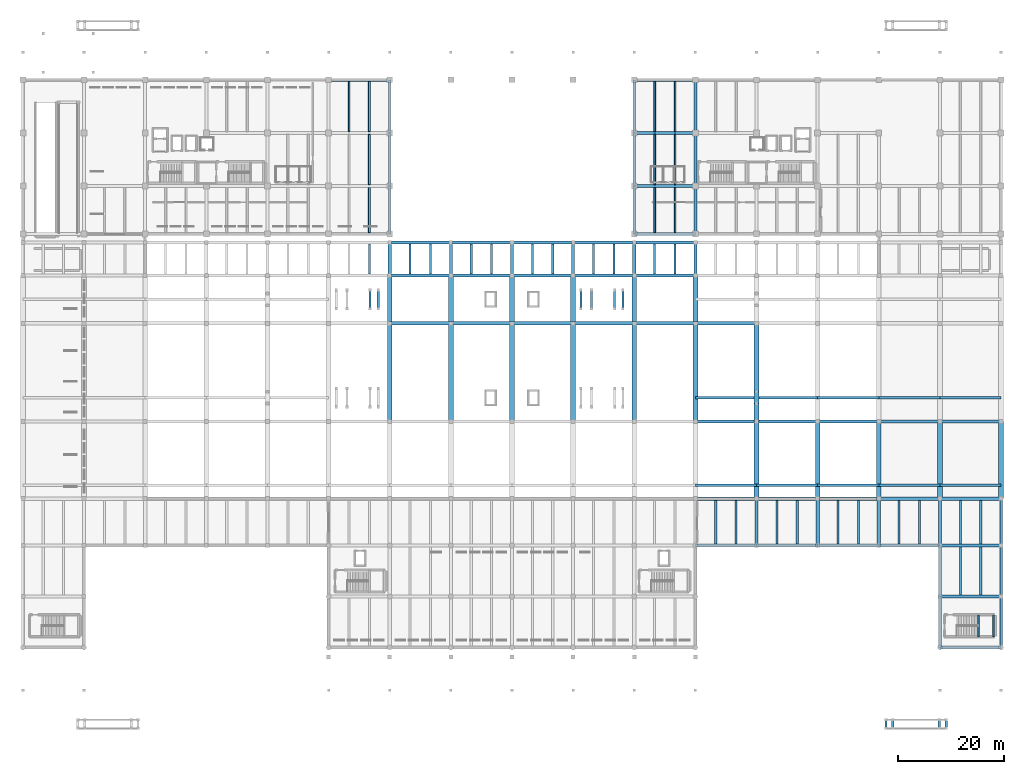
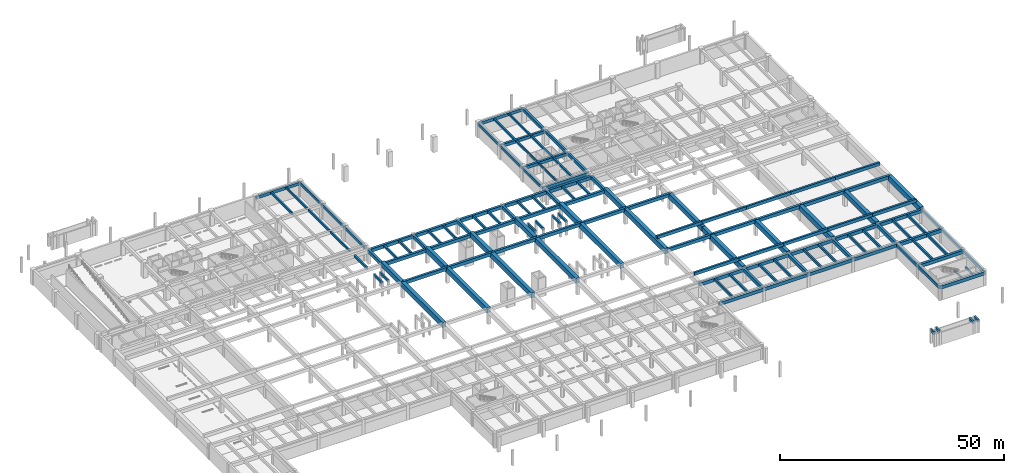
# One storey, part 6 of 20: 137 beams.
"""IFC4 building model written with IfcOpenShell, lengths in metres."""

from ifc_helpers import new_model, si_unit, direction, frame, origin, origin_2d, place, context, subcontext, project, spatial, rectangle, extrude, material, material_profile, profile_set, type_object, element, save


model = new_model("IFC4")

# Units and contexts
model_context = context("Model", 3, precision=1e-05, world=origin(), true_north=direction((0.0, 1.0)))
body_context = subcontext(model_context, "Body", "Model", "MODEL_VIEW")
ifc_project = project(units=[si_unit("LENGTHUNIT", "METRE"), si_unit("AREAUNIT", "SQUARE_METRE"), si_unit("VOLUMEUNIT", "CUBIC_METRE"), si_unit("PLANEANGLEUNIT", "RADIAN"), si_unit("MASSUNIT", "GRAM", prefix="KILO")], contexts=[model_context])

# Site, building, storey
site_placement = place(None, origin())
site = spatial("IfcSite", under=ifc_project, at=site_placement, CompositionType="ELEMENT")
building_placement = place(site_placement, origin())
building = spatial("IfcBuilding", under=site, at=building_placement, Name="Ologun Quay Terminus", CompositionType="ELEMENT")
storey_placement = place(building_placement, frame((0.0, 0.0, -4.199951171875)))
storey = spatial("IfcBuildingStorey", under=building, at=storey_placement, Name="B01", CompositionType="ELEMENT", Elevation=-4.199951171875)

# Beams
ifc_material_1 = material(Name="Concrete C40/50", Category="concrete")
ifc_material_profile_1 = material_profile(ifc_material_1, rectangle(XDim=0.300048828125, YDim=0.449951171875, at=origin_2d()), Name="RC 300x450")
ifc_profile_set_1 = profile_set([ifc_material_profile_1], Name="Concrete C40/50")
beam_type_1 = type_object("IfcBeamType", Name="Core Coupling Lintel Beam 300x450", PredefinedType="LINTEL", material=ifc_profile_set_1)
for number, where, z_axis, x_axis, name in (
    (1, (179.7900390625, 10.080078125, 1.695068359375), (0.0, 1.0, 0.0), (-1.0, 0.0, 0.0), "LN1 Half-Landing Ledger Beam ST-S2-W B01"),
    (2, (182.610107421875, 10.080078125, 1.695068359375), (0.0, 1.0, 0.0), (-1.0, 0.0, 0.0), "LN1 Half-Landing Ledger Beam ST-S2-E B01"),
):
    element("IfcBeam", number, at=place(storey_placement, frame(where, z_axis=z_axis, x_axis=x_axis)), inside=storey, type_object=beam_type_1, Name=name, PredefinedType="LINTEL", context=body_context, shape_type="SweptSolid", body=[
        extrude(rectangle(XDim=0.300048828125, YDim=0.449951171875, at=origin_2d()), origin(), (0.0, 0.0, 1.0), 4.0400390625),
    ])
ifc_material_2 = material(Name="Concrete C40/50", Category="concrete")
ifc_material_profile_2 = material_profile(ifc_material_2, rectangle(XDim=0.550048828125, YDim=0.800048828125, at=origin_2d()), Name="RC 550x800")
ifc_profile_set_2 = profile_set([ifc_material_profile_2], Name="Concrete C40/50")
beam_type_2 = type_object("IfcBeamType", Name="Courtyard Wing Primary Girder 550x800", PredefinedType="BEAM", material=ifc_profile_set_2)
for number, where, z_axis, x_axis, name in (
    (3, (115.0, 85.800048828125, 3.47998046875), (1.0, 0.0, 0.0), (0.0, 1.0, 0.0), "B4 Beam 11/G2 B01"),
    (4, (115.0, 94.800048828125, 3.47998046875), (1.0, 0.0, 0.0), (0.0, 1.0, 0.0), "B4 Beam 11/H B01"),
    (5, (115.0, 104.800048828125, 3.47998046875), (1.0, 0.0, 0.0), (0.0, 1.0, 0.0), "B4 Beam 11/J B01"),
    (6, (57.5, 114.800048828125, 3.47998046875), (1.0, 0.0, 0.0), (0.0, 1.0, 0.0), "B4 Beam 6/K B01"),
    (7, (115.0, 114.800048828125, 3.47998046875), (1.0, 0.0, 0.0), (0.0, 1.0, 0.0), "B4 Beam 11/K B01"),
):
    element("IfcBeam", number, at=place(storey_placement, frame(where, z_axis=z_axis, x_axis=x_axis)), inside=storey, type_object=beam_type_2, Name=name, PredefinedType="BEAM", context=body_context, shape_type="SweptSolid", body=[
        extrude(rectangle(XDim=0.550048828125, YDim=0.800048828125, at=origin_2d()), origin(), (0.0, 0.0, 1.0), 11.5),
    ])
beam_1_placement = place(storey_placement, frame((69.0, 85.800048828125, 3.47998046875), z_axis=(0.0, 1.0, 0.0), x_axis=(-1.0, 0.0, 0.0)))
element("IfcBeam", 8, at=beam_1_placement, inside=storey, type_object=beam_type_2, Name="B4 Beam 7/G2 B01", PredefinedType="BEAM", context=body_context, shape_type="SweptSolid", body=[
    extrude(rectangle(XDim=0.550048828125, YDim=0.800048828125, at=origin_2d()), origin(), (0.0, 0.0, 1.0), 9.0),
])
for number, where, z_axis, x_axis, name in (
    (9, (69.0, 94.800048828125, 3.47998046875), (0.0, 1.0, 0.0), (-1.0, 0.0, 0.0), "B4 Beam 7/H B01"),
    (10, (69.0, 104.800048828125, 3.47998046875), (0.0, 1.0, 0.0), (-1.0, 0.0, 0.0), "B4 Beam 7/J B01"),
):
    element("IfcBeam", number, at=place(storey_placement, frame(where, z_axis=z_axis, x_axis=x_axis)), inside=storey, type_object=beam_type_2, Name=name, PredefinedType="BEAM", context=body_context, shape_type="SweptSolid", body=[
        extrude(rectangle(XDim=0.550048828125, YDim=0.800048828125, at=origin_2d()), origin(), (0.0, 0.0, 1.0), 10.0),
    ])
beam_2_placement = place(storey_placement, frame((115.0, 85.800048828125, 3.47998046875), z_axis=(0.0, 1.0, 0.0), x_axis=(-1.0, 0.0, 0.0)))
element("IfcBeam", 11, at=beam_2_placement, inside=storey, type_object=beam_type_2, Name="B4 Beam 11/G2 B01", PredefinedType="BEAM", context=body_context, shape_type="SweptSolid", body=[
    extrude(rectangle(XDim=0.550048828125, YDim=0.800048828125, at=origin_2d()), origin(), (0.0, 0.0, 1.0), 9.0),
])
for number, where, z_axis, x_axis, name in (
    (12, (115.0, 94.800048828125, 3.47998046875), (0.0, 1.0, 0.0), (-1.0, 0.0, 0.0), "B4 Beam 11/H B01"),
    (13, (115.0, 104.800048828125, 3.47998046875), (0.0, 1.0, 0.0), (-1.0, 0.0, 0.0), "B4 Beam 11/J B01"),
):
    element("IfcBeam", number, at=place(storey_placement, frame(where, z_axis=z_axis, x_axis=x_axis)), inside=storey, type_object=beam_type_2, Name=name, PredefinedType="BEAM", context=body_context, shape_type="SweptSolid", body=[
        extrude(rectangle(XDim=0.550048828125, YDim=0.800048828125, at=origin_2d()), origin(), (0.0, 0.0, 1.0), 10.0),
    ])
beam_3_placement = place(storey_placement, frame((126.5, 85.800048828125, 3.47998046875), z_axis=(0.0, 1.0, 0.0), x_axis=(-1.0, 0.0, 0.0)))
element("IfcBeam", 14, at=beam_3_placement, inside=storey, type_object=beam_type_2, Name="B4 Beam 12/G2 B01", PredefinedType="BEAM", context=body_context, shape_type="SweptSolid", body=[
    extrude(rectangle(XDim=0.550048828125, YDim=0.800048828125, at=origin_2d()), origin(), (0.0, 0.0, 1.0), 9.0),
])
for number, where, z_axis, x_axis, name in (
    (15, (126.5, 94.800048828125, 3.47998046875), (0.0, 1.0, 0.0), (-1.0, 0.0, 0.0), "B4 Beam 12/H B01"),
    (16, (126.5, 104.800048828125, 3.47998046875), (0.0, 1.0, 0.0), (-1.0, 0.0, 0.0), "B4 Beam 12/J B01"),
):
    element("IfcBeam", number, at=place(storey_placement, frame(where, z_axis=z_axis, x_axis=x_axis)), inside=storey, type_object=beam_type_2, Name=name, PredefinedType="BEAM", context=body_context, shape_type="SweptSolid", body=[
        extrude(rectangle(XDim=0.550048828125, YDim=0.800048828125, at=origin_2d()), origin(), (0.0, 0.0, 1.0), 10.0),
    ])
ifc_material_3 = material(Name="Concrete C40/50", Category="concrete")
ifc_material_profile_3 = material_profile(ifc_material_3, rectangle(XDim=0.35009765625, YDim=0.550048828125, at=origin_2d()), Name="RC 350x550")
ifc_profile_set_3 = profile_set([ifc_material_profile_3], Name="Concrete C40/50")
beam_type_3 = type_object("IfcBeamType", Name="Courtyard Wing Secondary Joist 350x550", PredefinedType="JOIST", material=ifc_profile_set_3)
beam_4_placement = place(storey_placement, frame((65.166748046875, 86.074951171875, 3.60498046875), z_axis=(0.0, 1.0, 0.0), x_axis=(-1.0, 0.0, 0.0)))
element("IfcBeam", 17, at=beam_4_placement, inside=storey, type_object=beam_type_3, Name="J2 Beam 6/G2 B01", PredefinedType="JOIST", context=body_context, shape_type="SweptSolid", body=[
    extrude(rectangle(XDim=0.35009765625, YDim=0.550048828125, at=origin_2d()), origin(), (0.0, 0.0, 1.0), 8.449951171875),
])
for number, where, z_axis, x_axis, name in (
    (18, (65.166748046875, 95.074951171875, 3.60498046875), (0.0, 1.0, 0.0), (-1.0, 0.0, 0.0), "J2 Beam 6/H B01"),
    (19, (61.333251953125, 105.074951171875, 3.60498046875), (0.0, 1.0, 0.0), (-1.0, 0.0, 0.0), "J2 Beam 6/J B01"),
    (20, (65.166748046875, 105.074951171875, 3.60498046875), (0.0, 1.0, 0.0), (-1.0, 0.0, 0.0), "J2 Beam 6/J B01"),
):
    element("IfcBeam", number, at=place(storey_placement, frame(where, z_axis=z_axis, x_axis=x_axis)), inside=storey, type_object=beam_type_3, Name=name, PredefinedType="JOIST", context=body_context, shape_type="SweptSolid", body=[
        extrude(rectangle(XDim=0.35009765625, YDim=0.550048828125, at=origin_2d()), origin(), (0.0, 0.0, 1.0), 9.449951171875),
    ])
for number, where, z_axis, x_axis, name in (
    (21, (118.833251953125, 86.074951171875, 3.60498046875), (0.0, 1.0, 0.0), (-1.0, 0.0, 0.0), "J2 Beam 11/G2 B01"),
    (22, (122.666748046875, 86.074951171875, 3.60498046875), (0.0, 1.0, 0.0), (-1.0, 0.0, 0.0), "J2 Beam 11/G2 B01"),
):
    element("IfcBeam", number, at=place(storey_placement, frame(where, z_axis=z_axis, x_axis=x_axis)), inside=storey, type_object=beam_type_3, Name=name, PredefinedType="JOIST", context=body_context, shape_type="SweptSolid", body=[
        extrude(rectangle(XDim=0.35009765625, YDim=0.550048828125, at=origin_2d()), origin(), (0.0, 0.0, 1.0), 8.449951171875),
    ])
for number, where, z_axis, x_axis, name in (
    (23, (118.833251953125, 95.074951171875, 3.60498046875), (0.0, 1.0, 0.0), (-1.0, 0.0, 0.0), "J2 Beam 11/H B01"),
    (24, (122.666748046875, 95.074951171875, 3.60498046875), (0.0, 1.0, 0.0), (-1.0, 0.0, 0.0), "J2 Beam 11/H B01"),
    (25, (118.833251953125, 105.074951171875, 3.60498046875), (0.0, 1.0, 0.0), (-1.0, 0.0, 0.0), "J2 Beam 11/J B01"),
    (26, (122.666748046875, 105.074951171875, 3.60498046875), (0.0, 1.0, 0.0), (-1.0, 0.0, 0.0), "J2 Beam 11/J B01"),
):
    element("IfcBeam", number, at=place(storey_placement, frame(where, z_axis=z_axis, x_axis=x_axis)), inside=storey, type_object=beam_type_3, Name=name, PredefinedType="JOIST", context=body_context, shape_type="SweptSolid", body=[
        extrude(rectangle(XDim=0.35009765625, YDim=0.550048828125, at=origin_2d()), origin(), (0.0, 0.0, 1.0), 9.449951171875),
    ])
ifc_material_4 = material(Name="Concrete C45/55", Category="concrete")
ifc_material_profile_4 = material_profile(ifc_material_4, rectangle(XDim=0.89990234375, YDim=1.39990234375, at=origin_2d()), Name="RC 900x1400")
ifc_profile_set_4 = profile_set([ifc_material_profile_4], Name="Concrete C45/55")
beam_type_4 = type_object("IfcBeamType", Name="Heavy Track Deck Girder 900x1400", PredefinedType="BEAM", material=ifc_profile_set_4)
beam_5_placement = place(storey_placement, frame((69.0, 50.5, 3.64990234375), z_axis=(0.0, 1.0, 0.0), x_axis=(-1.0, 0.0, 0.0)))
element("IfcBeam", 27, at=beam_5_placement, inside=storey, type_object=beam_type_4, Name="B1 Beam 7/E B01", PredefinedType="BEAM", context=body_context, shape_type="SweptSolid", body=[
    extrude(rectangle(XDim=0.89990234375, YDim=1.39990234375, at=origin_2d()), origin(), (0.0, 0.0, 1.0), 18.5),
])
beam_6_placement = place(storey_placement, frame((69.0, 69.0, 3.64990234375), z_axis=(0.0, 1.0, 0.0), x_axis=(-1.0, 0.0, 0.0)))
element("IfcBeam", 28, at=beam_6_placement, inside=storey, type_object=beam_type_4, Name="B1 Beam 7/E B01", PredefinedType="BEAM", context=body_context, shape_type="SweptSolid", body=[
    extrude(rectangle(XDim=0.89990234375, YDim=1.39990234375, at=origin_2d()), origin(), (0.0, 0.0, 1.0), 9.0),
])
beam_7_placement = place(storey_placement, frame((80.5, 50.5, 3.64990234375), z_axis=(0.0, 1.0, 0.0), x_axis=(-1.0, 0.0, 0.0)))
element("IfcBeam", 29, at=beam_7_placement, inside=storey, type_object=beam_type_4, Name="B1 Beam 8/E B01", PredefinedType="BEAM", context=body_context, shape_type="SweptSolid", body=[
    extrude(rectangle(XDim=0.89990234375, YDim=1.39990234375, at=origin_2d()), origin(), (0.0, 0.0, 1.0), 18.5),
])
beam_8_placement = place(storey_placement, frame((80.5, 69.0, 3.64990234375), z_axis=(0.0, 1.0, 0.0), x_axis=(-1.0, 0.0, 0.0)))
element("IfcBeam", 30, at=beam_8_placement, inside=storey, type_object=beam_type_4, Name="B1 Beam 8/E B01", PredefinedType="BEAM", context=body_context, shape_type="SweptSolid", body=[
    extrude(rectangle(XDim=0.89990234375, YDim=1.39990234375, at=origin_2d()), origin(), (0.0, 0.0, 1.0), 9.0),
])
beam_9_placement = place(storey_placement, frame((92.0, 50.5, 3.64990234375), z_axis=(0.0, 1.0, 0.0), x_axis=(-1.0, 0.0, 0.0)))
element("IfcBeam", 31, at=beam_9_placement, inside=storey, type_object=beam_type_4, Name="B1 Beam 9/E B01", PredefinedType="BEAM", context=body_context, shape_type="SweptSolid", body=[
    extrude(rectangle(XDim=0.89990234375, YDim=1.39990234375, at=origin_2d()), origin(), (0.0, 0.0, 1.0), 18.5),
])
beam_10_placement = place(storey_placement, frame((92.0, 69.0, 3.64990234375), z_axis=(0.0, 1.0, 0.0), x_axis=(-1.0, 0.0, 0.0)))
element("IfcBeam", 32, at=beam_10_placement, inside=storey, type_object=beam_type_4, Name="B1 Beam 9/E B01", PredefinedType="BEAM", context=body_context, shape_type="SweptSolid", body=[
    extrude(rectangle(XDim=0.89990234375, YDim=1.39990234375, at=origin_2d()), origin(), (0.0, 0.0, 1.0), 9.0),
])
beam_11_placement = place(storey_placement, frame((103.5, 50.5, 3.64990234375), z_axis=(0.0, 1.0, 0.0), x_axis=(-1.0, 0.0, 0.0)))
element("IfcBeam", 33, at=beam_11_placement, inside=storey, type_object=beam_type_4, Name="B1 Beam 10/E B01", PredefinedType="BEAM", context=body_context, shape_type="SweptSolid", body=[
    extrude(rectangle(XDim=0.89990234375, YDim=1.39990234375, at=origin_2d()), origin(), (0.0, 0.0, 1.0), 18.5),
])
beam_12_placement = place(storey_placement, frame((103.5, 69.0, 3.64990234375), z_axis=(0.0, 1.0, 0.0), x_axis=(-1.0, 0.0, 0.0)))
element("IfcBeam", 34, at=beam_12_placement, inside=storey, type_object=beam_type_4, Name="B1 Beam 10/E B01", PredefinedType="BEAM", context=body_context, shape_type="SweptSolid", body=[
    extrude(rectangle(XDim=0.89990234375, YDim=1.39990234375, at=origin_2d()), origin(), (0.0, 0.0, 1.0), 9.0),
])
beam_13_placement = place(storey_placement, frame((115.0, 50.5, 3.64990234375), z_axis=(0.0, 1.0, 0.0), x_axis=(-1.0, 0.0, 0.0)))
element("IfcBeam", 35, at=beam_13_placement, inside=storey, type_object=beam_type_4, Name="B1 Beam 11/E B01", PredefinedType="BEAM", context=body_context, shape_type="SweptSolid", body=[
    extrude(rectangle(XDim=0.89990234375, YDim=1.39990234375, at=origin_2d()), origin(), (0.0, 0.0, 1.0), 18.5),
])
beam_14_placement = place(storey_placement, frame((115.0, 69.0, 3.64990234375), z_axis=(0.0, 1.0, 0.0), x_axis=(-1.0, 0.0, 0.0)))
element("IfcBeam", 36, at=beam_14_placement, inside=storey, type_object=beam_type_4, Name="B1 Beam 11/E B01", PredefinedType="BEAM", context=body_context, shape_type="SweptSolid", body=[
    extrude(rectangle(XDim=0.89990234375, YDim=1.39990234375, at=origin_2d()), origin(), (0.0, 0.0, 1.0), 9.0),
])
beam_15_placement = place(storey_placement, frame((126.5, 50.5, 3.64990234375), z_axis=(0.0, 1.0, 0.0), x_axis=(-1.0, 0.0, 0.0)))
element("IfcBeam", 37, at=beam_15_placement, inside=storey, type_object=beam_type_4, Name="B1 Beam 12/E B01", PredefinedType="BEAM", context=body_context, shape_type="SweptSolid", body=[
    extrude(rectangle(XDim=0.89990234375, YDim=1.39990234375, at=origin_2d()), origin(), (0.0, 0.0, 1.0), 18.5),
])
beam_16_placement = place(storey_placement, frame((126.5, 69.0, 3.64990234375), z_axis=(0.0, 1.0, 0.0), x_axis=(-1.0, 0.0, 0.0)))
element("IfcBeam", 38, at=beam_16_placement, inside=storey, type_object=beam_type_4, Name="B1 Beam 12/E B01", PredefinedType="BEAM", context=body_context, shape_type="SweptSolid", body=[
    extrude(rectangle(XDim=0.89990234375, YDim=1.39990234375, at=origin_2d()), origin(), (0.0, 0.0, 1.0), 9.0),
])
beam_17_placement = place(storey_placement, frame((138.0, 36.0, 3.64990234375), z_axis=(0.0, 1.0, 0.0), x_axis=(-1.0, 0.0, 0.0)))
element("IfcBeam", 39, at=beam_17_placement, inside=storey, type_object=beam_type_4, Name="B1 Beam 13/E B01", PredefinedType="BEAM", context=body_context, shape_type="SweptSolid", body=[
    extrude(rectangle(XDim=0.89990234375, YDim=1.39990234375, at=origin_2d()), origin(), (0.0, 0.0, 1.0), 14.5),
])
beam_18_placement = place(storey_placement, frame((138.0, 50.5, 3.64990234375), z_axis=(0.0, 1.0, 0.0), x_axis=(-1.0, 0.0, 0.0)))
element("IfcBeam", 40, at=beam_18_placement, inside=storey, type_object=beam_type_4, Name="B1 Beam 13/E B01", PredefinedType="BEAM", context=body_context, shape_type="SweptSolid", body=[
    extrude(rectangle(XDim=0.89990234375, YDim=1.39990234375, at=origin_2d()), origin(), (0.0, 0.0, 1.0), 3.39990234375),
])
beam_19_placement = place(storey_placement, frame((138.0, 53.89990234375, 3.64990234375), z_axis=(0.0, 1.0, 0.0), x_axis=(-1.0, 0.0, 0.0)))
element("IfcBeam", 41, at=beam_19_placement, inside=storey, type_object=beam_type_4, Name="B1 Beam 13/E B01", PredefinedType="BEAM", context=body_context, shape_type="SweptSolid", body=[
    extrude(rectangle(XDim=0.89990234375, YDim=1.39990234375, at=origin_2d()), origin(), (0.0, 0.0, 1.0), 2.2001953125),
])
beam_20_placement = place(storey_placement, frame((138.0, 56.10009765625, 3.64990234375), z_axis=(0.0, 1.0, 0.0), x_axis=(-1.0, 0.0, 0.0)))
element("IfcBeam", 42, at=beam_20_placement, inside=storey, type_object=beam_type_4, Name="B1 Beam 13/E B01", PredefinedType="BEAM", context=body_context, shape_type="SweptSolid", body=[
    extrude(rectangle(XDim=0.89990234375, YDim=1.39990234375, at=origin_2d()), origin(), (0.0, 0.0, 1.0), 12.89990234375),
])
for number, where, z_axis, x_axis, name in (
    (43, (149.5, 36.0, 3.64990234375), (0.0, 1.0, 0.0), (-1.0, 0.0, 0.0), "B1 Beam 14/E B01"),
    (44, (161.0, 36.0, 3.64990234375), (0.0, 1.0, 0.0), (-1.0, 0.0, 0.0), "B1 Beam 15/E B01"),
    (45, (172.5, 36.0, 3.64990234375), (0.0, 1.0, 0.0), (-1.0, 0.0, 0.0), "B1 Beam 16/E B01"),
    (46, (184.0, 36.0, 3.64990234375), (0.0, 1.0, 0.0), (-1.0, 0.0, 0.0), "B1 Beam 17/E B01"),
):
    element("IfcBeam", number, at=place(storey_placement, frame(where, z_axis=z_axis, x_axis=x_axis)), inside=storey, type_object=beam_type_4, Name=name, PredefinedType="BEAM", context=body_context, shape_type="SweptSolid", body=[
        extrude(rectangle(XDim=0.89990234375, YDim=1.39990234375, at=origin_2d()), origin(), (0.0, 0.0, 1.0), 14.5),
    ])
ifc_material_5 = material(Name="Concrete C40/50", Category="concrete")
ifc_material_profile_5 = material_profile(ifc_material_5, rectangle(XDim=0.449951171875, YDim=0.699951171875, at=origin_2d()), Name="RC 450x700")
ifc_profile_set_5 = profile_set([ifc_material_profile_5], Name="Concrete C40/50")
beam_type_5 = type_object("IfcBeamType", Name="Perimeter Spandrel Beam 450x700", PredefinedType="SPANDREL", material=ifc_profile_set_5)
for number, where, z_axis, x_axis, name in (
    (47, (162.35009765625, -7.199951171875, 3.6298828125), (0.0, 1.0, 0.0), (-1.0, 0.0, 0.0), "SP1 Ramp Header Beam 7W"),
    (48, (163.64990234375, -7.199951171875, 3.6298828125), (0.0, 1.0, 0.0), (-1.0, 0.0, 0.0), "SP1 Ramp Header Beam 7E"),
    (49, (172.35009765625, -7.199951171875, 3.1298828125), (0.0, 1.0, 0.0), (-1.0, 0.0, 0.0), "SP1 Ramp Header Beam 8W"),
    (50, (173.64990234375, -7.199951171875, 3.1298828125), (0.0, 1.0, 0.0), (-1.0, 0.0, 0.0), "SP1 Ramp Header Beam 8E"),
):
    element("IfcBeam", number, at=place(storey_placement, frame(where, z_axis=z_axis, x_axis=x_axis)), inside=storey, type_object=beam_type_5, Name=name, PredefinedType="SPANDREL", context=body_context, shape_type="SweptSolid", body=[
        extrude(rectangle(XDim=0.449951171875, YDim=0.699951171875, at=origin_2d()), origin(), (0.0, 0.0, 1.0), 1.599853515625),
    ])
beam_21_placement = place(storey_placement, frame((184.0, 8.0, 3.530029296875), z_axis=(0.0, 1.0, 0.0), x_axis=(-1.0, 0.0, 0.0)))
element("IfcBeam", 51, at=beam_21_placement, inside=storey, type_object=beam_type_5, Name="SP1 Beam 17/B B01", PredefinedType="SPANDREL", context=body_context, shape_type="SweptSolid", body=[
    extrude(rectangle(XDim=0.449951171875, YDim=0.699951171875, at=origin_2d()), origin(), (0.0, 0.0, 1.0), 9.60009765625),
])
beam_22_placement = place(storey_placement, frame((184.0, 17.60009765625, 3.530029296875), z_axis=(0.0, 1.0, 0.0), x_axis=(-1.0, 0.0, 0.0)))
element("IfcBeam", 52, at=beam_22_placement, inside=storey, type_object=beam_type_5, Name="SP1 Beam 17/C B01", PredefinedType="SPANDREL", context=body_context, shape_type="SweptSolid", body=[
    extrude(rectangle(XDim=0.449951171875, YDim=0.699951171875, at=origin_2d()), origin(), (0.0, 0.0, 1.0), 9.599853515625),
])
beam_23_placement = place(storey_placement, frame((184.0, 27.199951171875, 3.530029296875), z_axis=(0.0, 1.0, 0.0), x_axis=(-1.0, 0.0, 0.0)))
element("IfcBeam", 53, at=beam_23_placement, inside=storey, type_object=beam_type_5, Name="SP1 Beam 17/D B01", PredefinedType="SPANDREL", context=body_context, shape_type="SweptSolid", body=[
    extrude(rectangle(XDim=0.449951171875, YDim=0.699951171875, at=origin_2d()), origin(), (0.0, 0.0, 1.0), 8.800048828125),
])
ifc_material_6 = material(Name="Concrete C40/50", Category="concrete")
ifc_material_profile_6 = material_profile(ifc_material_6, rectangle(XDim=0.5, YDim=0.85009765625, at=origin_2d()), Name="RC 500x850")
ifc_profile_set_6 = profile_set([ifc_material_profile_6], Name="Concrete C40/50")
beam_type_6 = type_object("IfcBeamType", Name="Platform Ribbed T-Beam 500x850", PredefinedType="T_BEAM", material=ifc_profile_set_6)
for number, where, z_axis, x_axis, name in (
    (54, (126.5, 38.5, 4.724853515625), (1.0, 0.0, 0.0), (0.0, 1.0, 0.0), "TB1 Beam 12/E B01"),
    (55, (126.5, 55.0, 4.724853515625), (1.0, 0.0, 0.0), (0.0, 1.0, 0.0), "TB1 Beam 12/E B01"),
    (56, (138.0, 38.5, 4.724853515625), (1.0, 0.0, 0.0), (0.0, 1.0, 0.0), "TB1 Beam 13/E B01"),
    (57, (138.0, 55.0, 4.724853515625), (1.0, 0.0, 0.0), (0.0, 1.0, 0.0), "TB1 Beam 13/E B01"),
    (58, (149.5, 38.5, 4.724853515625), (1.0, 0.0, 0.0), (0.0, 1.0, 0.0), "TB1 Beam 14/E B01"),
    (59, (149.5, 55.0, 4.724853515625), (1.0, 0.0, 0.0), (0.0, 1.0, 0.0), "TB1 Beam 14/E B01"),
    (60, (161.0, 38.5, 4.724853515625), (1.0, 0.0, 0.0), (0.0, 1.0, 0.0), "TB1 Beam 15/E B01"),
    (61, (161.0, 55.0, 4.724853515625), (1.0, 0.0, 0.0), (0.0, 1.0, 0.0), "TB1 Beam 15/E B01"),
    (62, (172.5, 38.5, 4.724853515625), (1.0, 0.0, 0.0), (0.0, 1.0, 0.0), "TB1 Beam 16/E B01"),
    (63, (172.5, 55.0, 4.724853515625), (1.0, 0.0, 0.0), (0.0, 1.0, 0.0), "TB1 Beam 16/E B01"),
):
    element("IfcBeam", number, at=place(storey_placement, frame(where, z_axis=z_axis, x_axis=x_axis)), inside=storey, type_object=beam_type_6, Name=name, PredefinedType="T_BEAM", context=body_context, shape_type="SweptSolid", body=[
        extrude(rectangle(XDim=0.5, YDim=0.85009765625, at=origin_2d()), origin(), (0.0, 0.0, 1.0), 11.5),
    ])
ifc_material_7 = material(Name="Concrete C40/50", Category="concrete")
ifc_material_profile_7 = material_profile(ifc_material_7, rectangle(XDim=0.60009765625, YDim=0.89990234375, at=origin_2d()), Name="RC 600x900")
ifc_profile_set_7 = profile_set([ifc_material_profile_7], Name="Concrete C40/50")
beam_type_7 = type_object("IfcBeamType", Name="Station Frame Girder 600x900", PredefinedType="BEAM", material=ifc_profile_set_7)
for number, where, z_axis, x_axis, name in (
    (64, (172.5, 8.0, 3.429931640625), (1.0, 0.0, 0.0), (0.0, 1.0, 0.0), "B3 Beam 16/B B01"),
    (65, (172.5, 17.60009765625, 3.429931640625), (1.0, 0.0, 0.0), (0.0, 1.0, 0.0), "B3 Beam 16/C B01"),
    (66, (126.5, 27.199951171875, 3.429931640625), (1.0, 0.0, 0.0), (0.0, 1.0, 0.0), "B3 Beam 12/D B01"),
    (67, (138.0, 27.199951171875, 3.429931640625), (1.0, 0.0, 0.0), (0.0, 1.0, 0.0), "B3 Beam 13/D B01"),
    (68, (149.5, 27.199951171875, 3.429931640625), (1.0, 0.0, 0.0), (0.0, 1.0, 0.0), "B3 Beam 14/D B01"),
    (69, (161.0, 27.199951171875, 3.429931640625), (1.0, 0.0, 0.0), (0.0, 1.0, 0.0), "B3 Beam 15/D B01"),
    (70, (172.5, 27.199951171875, 3.429931640625), (1.0, 0.0, 0.0), (0.0, 1.0, 0.0), "B3 Beam 16/D B01"),
    (71, (126.5, 36.0, 3.429931640625), (1.0, 0.0, 0.0), (0.0, 1.0, 0.0), "B3 Beam 12/E B01"),
    (72, (138.0, 36.0, 3.429931640625), (1.0, 0.0, 0.0), (0.0, 1.0, 0.0), "B3 Beam 13/E B01"),
    (73, (149.5, 36.0, 3.429931640625), (1.0, 0.0, 0.0), (0.0, 1.0, 0.0), "B3 Beam 14/E B01"),
    (74, (161.0, 36.0, 3.429931640625), (1.0, 0.0, 0.0), (0.0, 1.0, 0.0), "B3 Beam 15/E B01"),
    (75, (172.5, 36.0, 3.429931640625), (1.0, 0.0, 0.0), (0.0, 1.0, 0.0), "B3 Beam 16/E B01"),
    (76, (69.0, 78.0, 3.429931640625), (1.0, 0.0, 0.0), (0.0, 1.0, 0.0), "B3 Beam 7/F B01"),
    (77, (80.5, 78.0, 3.429931640625), (1.0, 0.0, 0.0), (0.0, 1.0, 0.0), "B3 Beam 8/F B01"),
    (78, (92.0, 78.0, 3.429931640625), (1.0, 0.0, 0.0), (0.0, 1.0, 0.0), "B3 Beam 9/F B01"),
    (79, (103.5, 78.0, 3.429931640625), (1.0, 0.0, 0.0), (0.0, 1.0, 0.0), "B3 Beam 10/F B01"),
    (80, (115.0, 78.0, 3.429931640625), (1.0, 0.0, 0.0), (0.0, 1.0, 0.0), "B3 Beam 11/F B01"),
    (81, (69.0, 84.199951171875, 3.429931640625), (1.0, 0.0, 0.0), (0.0, 1.0, 0.0), "B3 Beam 7/G1 B01"),
    (82, (80.5, 84.199951171875, 3.429931640625), (1.0, 0.0, 0.0), (0.0, 1.0, 0.0), "B3 Beam 8/G1 B01"),
    (83, (92.0, 84.199951171875, 3.429931640625), (1.0, 0.0, 0.0), (0.0, 1.0, 0.0), "B3 Beam 9/G1 B01"),
    (84, (103.5, 84.199951171875, 3.429931640625), (1.0, 0.0, 0.0), (0.0, 1.0, 0.0), "B3 Beam 10/G1 B01"),
    (85, (115.0, 84.199951171875, 3.429931640625), (1.0, 0.0, 0.0), (0.0, 1.0, 0.0), "B3 Beam 11/G1 B01"),
    (86, (69.0, 69.0, 3.89990234375), (1.0, 0.0, 0.0), (0.0, 1.0, 0.0), "B3 Beam 7/E B01"),
    (87, (80.5, 69.0, 3.89990234375), (1.0, 0.0, 0.0), (0.0, 1.0, 0.0), "B3 Beam 8/E B01"),
    (88, (92.0, 69.0, 3.89990234375), (1.0, 0.0, 0.0), (0.0, 1.0, 0.0), "B3 Beam 9/E B01"),
    (89, (103.5, 69.0, 3.89990234375), (1.0, 0.0, 0.0), (0.0, 1.0, 0.0), "B3 Beam 10/E B01"),
    (90, (115.0, 69.0, 3.89990234375), (1.0, 0.0, 0.0), (0.0, 1.0, 0.0), "B3 Beam 11/E B01"),
    (91, (126.5, 50.5, 3.89990234375), (1.0, 0.0, 0.0), (0.0, 1.0, 0.0), "B3 Beam 12/E B01"),
    (92, (126.5, 69.0, 3.89990234375), (1.0, 0.0, 0.0), (0.0, 1.0, 0.0), "B3 Beam 12/E B01"),
    (93, (138.0, 50.5, 3.89990234375), (1.0, 0.0, 0.0), (0.0, 1.0, 0.0), "B3 Beam 13/E B01"),
    (94, (149.5, 50.5, 3.89990234375), (1.0, 0.0, 0.0), (0.0, 1.0, 0.0), "B3 Beam 14/E B01"),
    (95, (161.0, 50.5, 3.89990234375), (1.0, 0.0, 0.0), (0.0, 1.0, 0.0), "B3 Beam 15/E B01"),
    (96, (172.5, 50.5, 3.89990234375), (1.0, 0.0, 0.0), (0.0, 1.0, 0.0), "B3 Beam 16/E B01"),
):
    element("IfcBeam", number, at=place(storey_placement, frame(where, z_axis=z_axis, x_axis=x_axis)), inside=storey, type_object=beam_type_7, Name=name, PredefinedType="BEAM", context=body_context, shape_type="SweptSolid", body=[
        extrude(rectangle(XDim=0.60009765625, YDim=0.89990234375, at=origin_2d()), origin(), (0.0, 0.0, 1.0), 11.5),
    ])
for number, where, z_axis, x_axis, name in (
    (97, (69.0, 78.0, 3.429931640625), (0.0, 1.0, 0.0), (-1.0, 0.0, 0.0), "B3 Beam 7/F B01"),
    (98, (80.5, 78.0, 3.429931640625), (0.0, 1.0, 0.0), (-1.0, 0.0, 0.0), "B3 Beam 8/F B01"),
    (99, (92.0, 78.0, 3.429931640625), (0.0, 1.0, 0.0), (-1.0, 0.0, 0.0), "B3 Beam 9/F B01"),
    (100, (103.5, 78.0, 3.429931640625), (0.0, 1.0, 0.0), (-1.0, 0.0, 0.0), "B3 Beam 10/F B01"),
    (101, (115.0, 78.0, 3.429931640625), (0.0, 1.0, 0.0), (-1.0, 0.0, 0.0), "B3 Beam 11/F B01"),
    (102, (126.5, 78.0, 3.429931640625), (0.0, 1.0, 0.0), (-1.0, 0.0, 0.0), "B3 Beam 12/F B01"),
):
    element("IfcBeam", number, at=place(storey_placement, frame(where, z_axis=z_axis, x_axis=x_axis)), inside=storey, type_object=beam_type_7, Name=name, PredefinedType="BEAM", context=body_context, shape_type="SweptSolid", body=[
        extrude(rectangle(XDim=0.60009765625, YDim=0.89990234375, at=origin_2d()), origin(), (0.0, 0.0, 1.0), 6.199951171875),
    ])
for number, where, z_axis, x_axis, name in (
    (103, (138.0, 27.199951171875, 3.429931640625), (0.0, 1.0, 0.0), (-1.0, 0.0, 0.0), "B3 Beam 13/D B01"),
    (104, (149.5, 27.199951171875, 3.429931640625), (0.0, 1.0, 0.0), (-1.0, 0.0, 0.0), "B3 Beam 14/D B01"),
    (105, (161.0, 27.199951171875, 3.429931640625), (0.0, 1.0, 0.0), (-1.0, 0.0, 0.0), "B3 Beam 15/D B01"),
):
    element("IfcBeam", number, at=place(storey_placement, frame(where, z_axis=z_axis, x_axis=x_axis)), inside=storey, type_object=beam_type_7, Name=name, PredefinedType="BEAM", context=body_context, shape_type="SweptSolid", body=[
        extrude(rectangle(XDim=0.60009765625, YDim=0.89990234375, at=origin_2d()), origin(), (0.0, 0.0, 1.0), 8.800048828125),
    ])
beam_24_placement = place(storey_placement, frame((172.5, 8.0, 3.429931640625), z_axis=(0.0, 1.0, 0.0), x_axis=(-1.0, 0.0, 0.0)))
element("IfcBeam", 106, at=beam_24_placement, inside=storey, type_object=beam_type_7, Name="B3 Beam 16/B B01", PredefinedType="BEAM", context=body_context, shape_type="SweptSolid", body=[
    extrude(rectangle(XDim=0.60009765625, YDim=0.89990234375, at=origin_2d()), origin(), (0.0, 0.0, 1.0), 9.60009765625),
])
beam_25_placement = place(storey_placement, frame((172.5, 17.60009765625, 3.429931640625), z_axis=(0.0, 1.0, 0.0), x_axis=(-1.0, 0.0, 0.0)))
element("IfcBeam", 107, at=beam_25_placement, inside=storey, type_object=beam_type_7, Name="B3 Beam 16/C B01", PredefinedType="BEAM", context=body_context, shape_type="SweptSolid", body=[
    extrude(rectangle(XDim=0.60009765625, YDim=0.89990234375, at=origin_2d()), origin(), (0.0, 0.0, 1.0), 9.599853515625),
])
beam_26_placement = place(storey_placement, frame((172.5, 27.199951171875, 3.429931640625), z_axis=(0.0, 1.0, 0.0), x_axis=(-1.0, 0.0, 0.0)))
element("IfcBeam", 108, at=beam_26_placement, inside=storey, type_object=beam_type_7, Name="B3 Beam 16/D B01", PredefinedType="BEAM", context=body_context, shape_type="SweptSolid", body=[
    extrude(rectangle(XDim=0.60009765625, YDim=0.89990234375, at=origin_2d()), origin(), (0.0, 0.0, 1.0), 8.800048828125),
])
ifc_material_8 = material(Name="Concrete C40/50", Category="concrete")
ifc_material_profile_8 = material_profile(ifc_material_8, rectangle(XDim=0.39990234375, YDim=0.64990234375, at=origin_2d()), Name="RC 400x650")
ifc_profile_set_8 = profile_set([ifc_material_profile_8], Name="Concrete C40/50")
beam_type_8 = type_object("IfcBeamType", Name="Station Secondary Joist 400x650", PredefinedType="JOIST", material=ifc_profile_set_8)
for number, where, z_axis, x_axis, name in (
    (109, (65.300048828125, 71.75, 3.554931640625), (0.0, 1.0, 0.0), (-1.0, 0.0, 0.0), "J1 Beam 6/F B01"),
    (110, (66.85009765625, 71.75, 3.554931640625), (0.0, 1.0, 0.0), (-1.0, 0.0, 0.0), "J1 Beam 6/F B01"),
    (111, (104.949951171875, 71.75, 3.554931640625), (0.0, 1.0, 0.0), (-1.0, 0.0, 0.0), "J1 Beam 10/F B01"),
    (112, (106.949951171875, 71.75, 3.554931640625), (0.0, 1.0, 0.0), (-1.0, 0.0, 0.0), "J1 Beam 10/F B01"),
    (113, (111.300048828125, 71.75, 3.554931640625), (0.0, 1.0, 0.0), (-1.0, 0.0, 0.0), "J1 Beam 10/F B01"),
    (114, (112.85009765625, 71.75, 3.554931640625), (0.0, 1.0, 0.0), (-1.0, 0.0, 0.0), "J1 Beam 10/F B01"),
):
    element("IfcBeam", number, at=place(storey_placement, frame(where, z_axis=z_axis, x_axis=x_axis)), inside=storey, type_object=beam_type_8, Name=name, PredefinedType="JOIST", context=body_context, shape_type="SweptSolid", body=[
        extrude(rectangle(XDim=0.39990234375, YDim=0.64990234375, at=origin_2d()), origin(), (0.0, 0.0, 1.0), 3.5),
    ])
for number, where, z_axis, x_axis, name in (
    (115, (65.166748046875, 78.300048828125, 3.554931640625), (0.0, 1.0, 0.0), (-1.0, 0.0, 0.0), "J1 Beam 6/F B01"),
    (116, (72.833251953125, 78.300048828125, 3.554931640625), (0.0, 1.0, 0.0), (-1.0, 0.0, 0.0), "J1 Beam 7/F B01"),
    (117, (76.666748046875, 78.300048828125, 3.554931640625), (0.0, 1.0, 0.0), (-1.0, 0.0, 0.0), "J1 Beam 7/F B01"),
    (118, (84.333251953125, 78.300048828125, 3.554931640625), (0.0, 1.0, 0.0), (-1.0, 0.0, 0.0), "J1 Beam 8/F B01"),
    (119, (88.166748046875, 78.300048828125, 3.554931640625), (0.0, 1.0, 0.0), (-1.0, 0.0, 0.0), "J1 Beam 8/F B01"),
    (120, (95.833251953125, 78.300048828125, 3.554931640625), (0.0, 1.0, 0.0), (-1.0, 0.0, 0.0), "J1 Beam 9/F B01"),
    (121, (99.666748046875, 78.300048828125, 3.554931640625), (0.0, 1.0, 0.0), (-1.0, 0.0, 0.0), "J1 Beam 9/F B01"),
    (122, (107.333251953125, 78.300048828125, 3.554931640625), (0.0, 1.0, 0.0), (-1.0, 0.0, 0.0), "J1 Beam 10/F B01"),
    (123, (111.166748046875, 78.300048828125, 3.554931640625), (0.0, 1.0, 0.0), (-1.0, 0.0, 0.0), "J1 Beam 10/F B01"),
    (124, (118.833251953125, 78.300048828125, 3.554931640625), (0.0, 1.0, 0.0), (-1.0, 0.0, 0.0), "J1 Beam 11/F B01"),
    (125, (122.666748046875, 78.300048828125, 3.554931640625), (0.0, 1.0, 0.0), (-1.0, 0.0, 0.0), "J1 Beam 11/F B01"),
):
    element("IfcBeam", number, at=place(storey_placement, frame(where, z_axis=z_axis, x_axis=x_axis)), inside=storey, type_object=beam_type_8, Name=name, PredefinedType="JOIST", context=body_context, shape_type="SweptSolid", body=[
        extrude(rectangle(XDim=0.39990234375, YDim=0.64990234375, at=origin_2d()), origin(), (0.0, 0.0, 1.0), 5.599853515625),
    ])
for number, where, z_axis, x_axis, name in (
    (126, (130.333251953125, 27.5, 3.554931640625), (0.0, 1.0, 0.0), (-1.0, 0.0, 0.0), "J1 Beam 12/D B01"),
    (127, (134.166748046875, 27.5, 3.554931640625), (0.0, 1.0, 0.0), (-1.0, 0.0, 0.0), "J1 Beam 12/D B01"),
    (128, (141.833251953125, 27.5, 3.554931640625), (0.0, 1.0, 0.0), (-1.0, 0.0, 0.0), "J1 Beam 13/D B01"),
    (129, (145.666748046875, 27.5, 3.554931640625), (0.0, 1.0, 0.0), (-1.0, 0.0, 0.0), "J1 Beam 13/D B01"),
    (130, (153.333251953125, 27.5, 3.554931640625), (0.0, 1.0, 0.0), (-1.0, 0.0, 0.0), "J1 Beam 14/D B01"),
    (131, (157.166748046875, 27.5, 3.554931640625), (0.0, 1.0, 0.0), (-1.0, 0.0, 0.0), "J1 Beam 14/D B01"),
    (132, (164.833251953125, 27.5, 3.554931640625), (0.0, 1.0, 0.0), (-1.0, 0.0, 0.0), "J1 Beam 15/D B01"),
    (133, (168.666748046875, 27.5, 3.554931640625), (0.0, 1.0, 0.0), (-1.0, 0.0, 0.0), "J1 Beam 15/D B01"),
):
    element("IfcBeam", number, at=place(storey_placement, frame(where, z_axis=z_axis, x_axis=x_axis)), inside=storey, type_object=beam_type_8, Name=name, PredefinedType="JOIST", context=body_context, shape_type="SweptSolid", body=[
        extrude(rectangle(XDim=0.39990234375, YDim=0.64990234375, at=origin_2d()), origin(), (0.0, 0.0, 1.0), 8.199951171875),
    ])
for number, where, z_axis, x_axis, name in (
    (134, (176.333251953125, 17.89990234375, 3.554931640625), (0.0, 1.0, 0.0), (-1.0, 0.0, 0.0), "J1 Beam 16/C B01"),
    (135, (180.166748046875, 17.89990234375, 3.554931640625), (0.0, 1.0, 0.0), (-1.0, 0.0, 0.0), "J1 Beam 16/C B01"),
):
    element("IfcBeam", number, at=place(storey_placement, frame(where, z_axis=z_axis, x_axis=x_axis)), inside=storey, type_object=beam_type_8, Name=name, PredefinedType="JOIST", context=body_context, shape_type="SweptSolid", body=[
        extrude(rectangle(XDim=0.39990234375, YDim=0.64990234375, at=origin_2d()), origin(), (0.0, 0.0, 1.0), 9.0),
    ])
for number, where, z_axis, x_axis, name in (
    (136, (176.333251953125, 27.5, 3.554931640625), (0.0, 1.0, 0.0), (-1.0, 0.0, 0.0), "J1 Beam 16/D B01"),
    (137, (180.166748046875, 27.5, 3.554931640625), (0.0, 1.0, 0.0), (-1.0, 0.0, 0.0), "J1 Beam 16/D B01"),
):
    element("IfcBeam", number, at=place(storey_placement, frame(where, z_axis=z_axis, x_axis=x_axis)), inside=storey, type_object=beam_type_8, Name=name, PredefinedType="JOIST", context=body_context, shape_type="SweptSolid", body=[
        extrude(rectangle(XDim=0.39990234375, YDim=0.64990234375, at=origin_2d()), origin(), (0.0, 0.0, 1.0), 8.199951171875),
    ])

save(model, "model.ifc")
